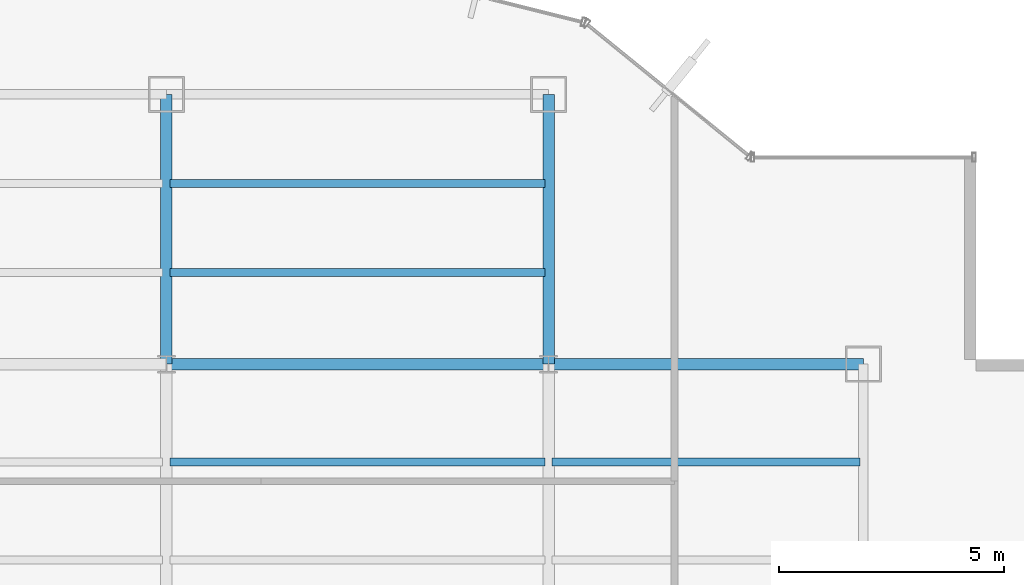
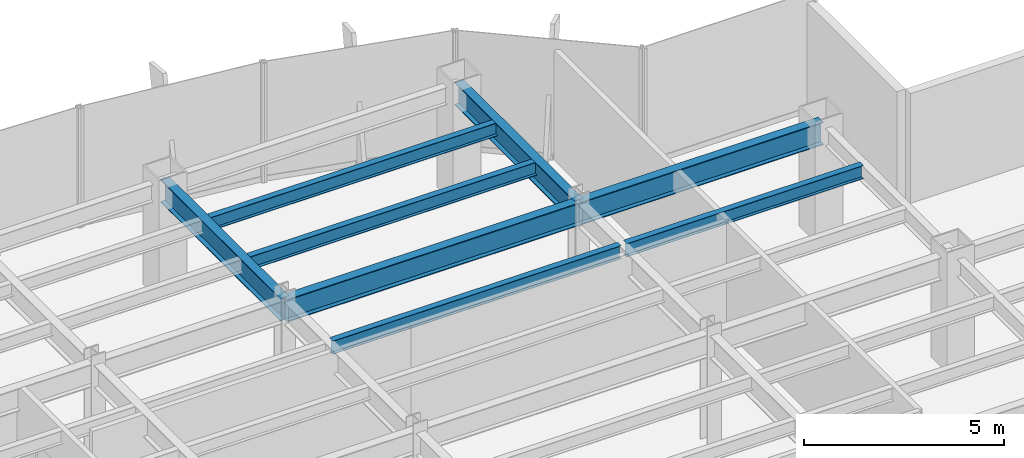
# One storey, part 17 of 26: 8 beams.
"""IFC4 building model written with IfcOpenShell, lengths in metres."""

from ifc_helpers import new_model, si_unit, derived_unit, direction, frame, origin, origin_2d, place, context, subcontext, project, spatial, i_section, extrude, source, transform, mapped, material, material_profile, profile_set, type_object, element, save


model = new_model("IFC4")

# Units and contexts
model_context = context("Model", 3, precision=1e-05, world=origin(), true_north=direction((0.0, 1.0)))
body_context = subcontext(model_context, "Body", "Model", "MODEL_VIEW")
ifc_project = project(units=[si_unit("LENGTHUNIT", "METRE"), si_unit("AREAUNIT", "SQUARE_METRE"), si_unit("VOLUMEUNIT", "CUBIC_METRE"), si_unit("PLANEANGLEUNIT", "RADIAN"), si_unit("MASSUNIT", "GRAM", prefix="KILO"), derived_unit("THERMALTRANSMITTANCEUNIT", [(si_unit("POWERUNIT", "WATT"), 1), (si_unit("LENGTHUNIT", "METRE"), -2), (si_unit("THERMODYNAMICTEMPERATUREUNIT", "KELVIN"), -1)])], contexts=[model_context])

# Site, building, storey
site_placement = place(None, origin())
site = spatial("IfcSite", under=ifc_project, at=site_placement, CompositionType="ELEMENT")
building_placement = place(site_placement, origin())
building = spatial("IfcBuilding", under=site, at=building_placement, Name="Skarnbrae Concourse Arena and Tower", CompositionType="ELEMENT")
storey_placement = place(building_placement, frame((0.0, 0.0, 132.449951171875)))
storey = spatial("IfcBuildingStorey", under=building, at=storey_placement, Name="L33", CompositionType="ELEMENT", Elevation=132.449951171875)

# Beams
ifc_material = material(Name="Steel CSA G40.21 350W", Category="steel")
ifc_material_profile_1 = material_profile(ifc_material, i_section(OverallWidth=0.256103515625, OverallDepth=0.693115234375, WebThickness=0.014404296875, FlangeThickness=0.023681640625, at=origin_2d()), Name="W690X170")
ifc_profile_set_1 = profile_set([ifc_material_profile_1], Name="Steel CSA G40.21 350W")
beam_type_1 = type_object("IfcBeamType", Name="BM-GIRD-W690X170", PredefinedType="BEAM", material=ifc_profile_set_1)
shared_shape_1 = source(origin(), body_context, "Body", "SweptSolid", [
    extrude(i_section(OverallWidth=0.256103515625, OverallDepth=0.693115234375, WebThickness=0.014404296875, FlangeThickness=0.023681640625, at=origin_2d()), origin(), (0.0, 0.0, 1.0), 7.0),
])
beam_1_placement = place(storey_placement, frame((42.0, 34.39990234375, 3.003662109375), z_axis=(1.0, 0.0, 0.0), x_axis=(0.0, 1.0, 0.0)))
element("IfcBeam", 1, at=beam_1_placement, inside=storey, type_object=beam_type_1, Name="L33 Primary E-W girder Y34.4-6", PredefinedType="BEAM", context=body_context, shape_type="MappedRepresentation", body=[
    mapped(shared_shape_1, transform((0.0, 0.0, 0.0))),
])
shared_shape_2 = source(origin(), body_context, "Body", "SweptSolid", [
    extrude(i_section(OverallWidth=0.256103515625, OverallDepth=0.693115234375, WebThickness=0.014404296875, FlangeThickness=0.023681640625, at=origin_2d()), origin(), (0.0, 0.0, 1.0), 8.5),
])
beam_2_placement = place(storey_placement, frame((33.5, 34.39990234375, 3.003662109375), z_axis=(1.0, 0.0, 0.0), x_axis=(0.0, 1.0, 0.0)))
element("IfcBeam", 2, at=beam_2_placement, inside=storey, type_object=beam_type_1, Name="L33 Primary E-W girder Y34.4-5", PredefinedType="BEAM", context=body_context, shape_type="MappedRepresentation", body=[
    mapped(shared_shape_2, transform((0.0, 0.0, 0.0))),
])
shared_shape_3 = source(origin(), body_context, "Body", "SweptSolid", [
    extrude(i_section(OverallWidth=0.256103515625, OverallDepth=0.693115234375, WebThickness=0.014404296875, FlangeThickness=0.023681640625, at=origin_2d()), origin(), (0.0, 0.0, 1.0), 6.0),
])
for number, where, z_axis, x_axis, name in (
    (3, (33.5, 34.39990234375, 3.003662109375), (0.0, 1.0, 0.0), (-1.0, 0.0, 0.0), "L33 Primary N-S girder X33.5-4"),
    (4, (42.0, 34.39990234375, 3.003662109375), (0.0, 1.0, 0.0), (-1.0, 0.0, 0.0), "L33 Primary N-S girder X42.0-5"),
):
    element("IfcBeam", number, at=place(storey_placement, frame(where, z_axis=z_axis, x_axis=x_axis)), inside=storey, type_object=beam_type_1, Name=name, PredefinedType="BEAM", context=body_context, shape_type="MappedRepresentation", body=[
        mapped(shared_shape_3, transform((0.0, 0.0, 0.0))),
    ])
ifc_material_profile_2 = material_profile(ifc_material, i_section(OverallWidth=0.177978515625, OverallDepth=0.406982421875, WebThickness=0.0078125, FlangeThickness=0.0126953125, at=origin_2d()), Name="W410X60")
ifc_profile_set_2 = profile_set([ifc_material_profile_2], Name="Steel CSA G40.21 350W")
beam_type_2 = type_object("IfcBeamType", Name="BM-JOIST-W410X60", PredefinedType="JOIST", material=ifc_profile_set_2)
shared_shape_4 = source(origin(), body_context, "Body", "SweptSolid", [
    extrude(i_section(OverallWidth=0.177978515625, OverallDepth=0.406982421875, WebThickness=0.0078125, FlangeThickness=0.0126953125, at=origin_2d()), origin(), (0.0, 0.0, 1.0), 8.33984375),
])
for number, where, z_axis, x_axis, name in (
    (5, (33.580078125, 32.221923828125, 3.146484375), (1.0, 0.0, 0.0), (0.0, 1.0, 0.0), "L33 Secondary floor joist 3.2.5"),
    (6, (33.580078125, 36.43994140625, 3.146484375), (1.0, 0.0, 0.0), (0.0, 1.0, 0.0), "L33 Secondary floor joist 4.1.4"),
    (7, (33.580078125, 38.419921875, 3.146484375), (1.0, 0.0, 0.0), (0.0, 1.0, 0.0), "L33 Secondary floor joist 4.2.4"),
):
    element("IfcBeam", number, at=place(storey_placement, frame(where, z_axis=z_axis, x_axis=x_axis)), inside=storey, type_object=beam_type_2, Name=name, PredefinedType="JOIST", context=body_context, shape_type="MappedRepresentation", body=[
        mapped(shared_shape_4, transform((0.0, 0.0, 0.0))),
    ])
shared_shape_5 = source(origin(), body_context, "Body", "SweptSolid", [
    extrude(i_section(OverallWidth=0.177978515625, OverallDepth=0.406982421875, WebThickness=0.0078125, FlangeThickness=0.0126953125, at=origin_2d()), origin(), (0.0, 0.0, 1.0), 6.83984375),
])
beam_3_placement = place(storey_placement, frame((42.080078125, 32.221923828125, 3.146484375), z_axis=(1.0, 0.0, 0.0), x_axis=(0.0, 1.0, 0.0)))
element("IfcBeam", 8, at=beam_3_placement, inside=storey, type_object=beam_type_2, Name="L33 Secondary floor joist 3.2.6", PredefinedType="JOIST", context=body_context, shape_type="MappedRepresentation", body=[
    mapped(shared_shape_5, transform((0.0, 0.0, 0.0))),
])

save(model, "model.ifc")
